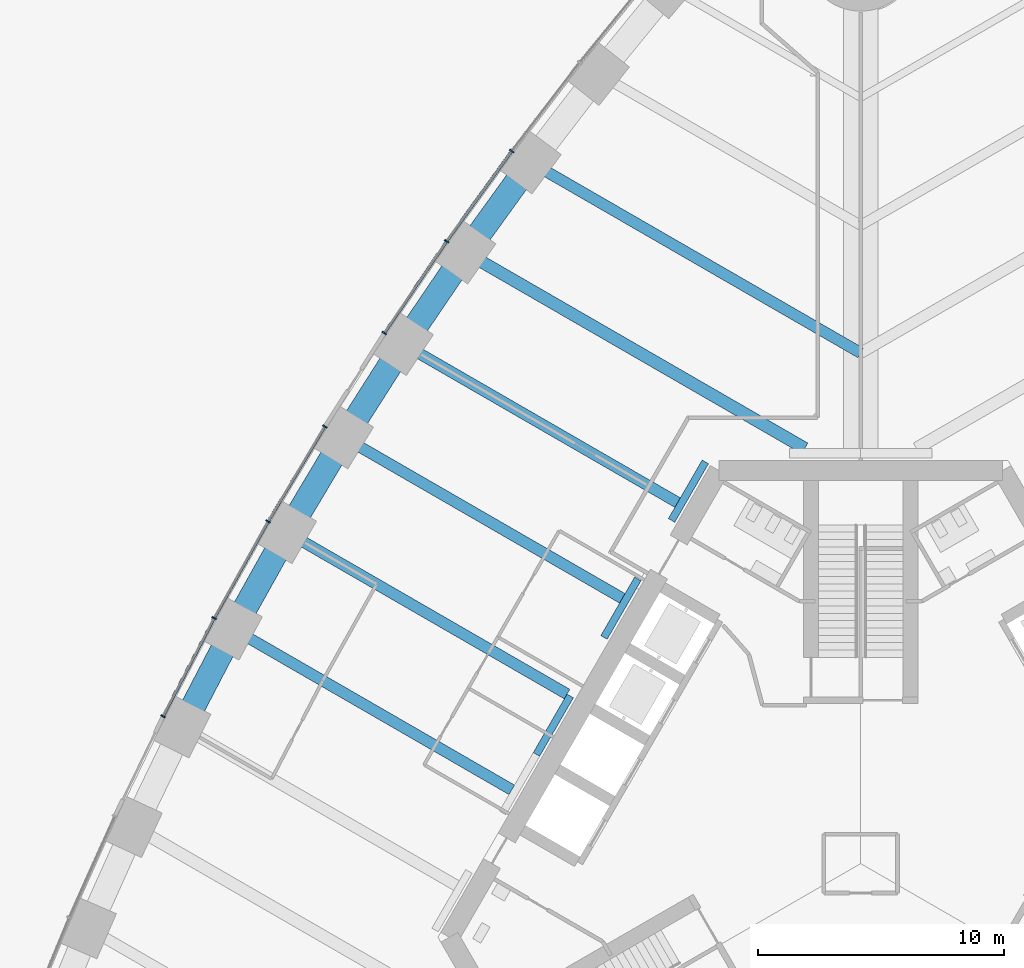
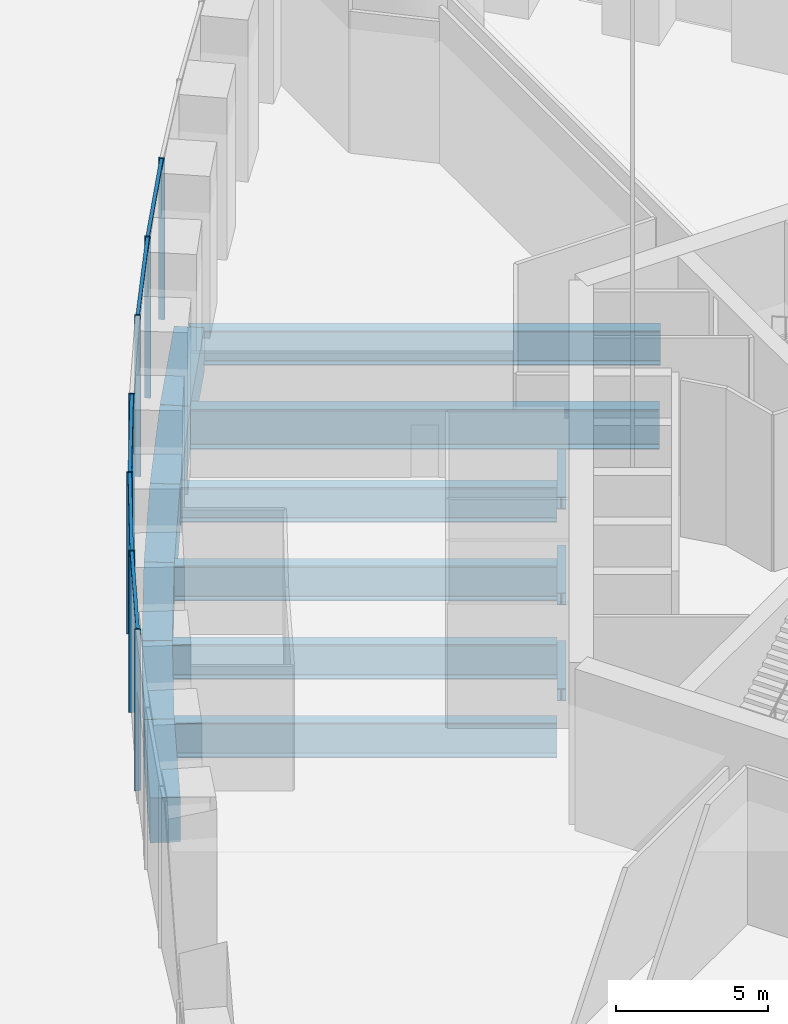
# One storey, part 7 of 43: 15 beams, 12 members, 2 elements without a shape of their own.
"""IFC4 building model written with IfcOpenShell, lengths in metres."""

from ifc_helpers import new_model, si_unit, direction, frame, origin, origin_2d, place, context, subcontext, project, spatial, rectangle, i_section, extrude, material, material_profile, profile_set, type_object, element, aggregate, save


model = new_model("IFC4")

# Units and contexts
model_context = context("Model", 3, precision=1e-05, world=origin(), true_north=direction((0.0, 1.0)))
body_context = subcontext(model_context, "Body", "Model", "MODEL_VIEW")
ifc_project = project(units=[si_unit("LENGTHUNIT", "METRE"), si_unit("AREAUNIT", "SQUARE_METRE"), si_unit("VOLUMEUNIT", "CUBIC_METRE"), si_unit("PLANEANGLEUNIT", "RADIAN"), si_unit("MASSUNIT", "GRAM", prefix="KILO")], contexts=[model_context])

# Site, building, storey
site_placement = place(None, origin())
site = spatial("IfcSite", under=ifc_project, at=site_placement, CompositionType="ELEMENT")
building_placement = place(site_placement, origin())
building = spatial("IfcBuilding", under=site, at=building_placement, Name="Trefoil Bronze Tower", CompositionType="ELEMENT")
storey_placement = place(building_placement, origin())
storey = spatial("IfcBuildingStorey", under=building, at=storey_placement, Name="L00", CompositionType="ELEMENT", Elevation=0.0)

# Curtain wall, members
ifc_material_1 = material(Name="Tinted solar-control glass", Category="glass")
curtain_wall_type = type_object("IfcCurtainWallType", Name="Bronze podium storefront curtain wall", PredefinedType="USERDEFINED", material=ifc_material_1)
curtain_wall_1_placement = place(storey_placement, origin())
curtain_wall_1 = element("IfcCurtainWall", 1, at=curtain_wall_1_placement, inside=storey, type_object=curtain_wall_type, Name="CW-C L00 F3 run 1", ObjectType="CURTAIN WALL", PredefinedType="USERDEFINED")
ifc_material_2 = material(Name="Bronze-finish aluminium", Category="aluminium")
ifc_material_profile_1 = material_profile(ifc_material_2, rectangle(XDim=0.199951171875, YDim=0.06005859375, at=origin_2d()), Name="CW-C mullion")
ifc_profile_set_1 = profile_set([ifc_material_profile_1], Name="Bronze-finish aluminium")
member_type_1 = type_object("IfcMemberType", Name="Bronze podium storefront curtain wall mullion", PredefinedType="MULLION", material=ifc_profile_set_1)
member_1_placement = place(storey_placement, frame((-14.20361328125, 28.99853515625, 0.0), z_axis=(0.0, 0.0, 1.0), x_axis=(0.802126748469, -0.59715381552, 0.0)))
member_1 = element("IfcMember", 2, at=member_1_placement, type_object=member_type_1, Name="CW-C L00 F3 run 1 mullion 5", PredefinedType="MULLION", context=body_context, shape_type="SweptSolid", body=[
    extrude(rectangle(XDim=0.199951171875, YDim=0.06005859375, at=origin_2d()), origin(), (0.0, 0.0, 1.0), 6.47998046875),
])
member_2_placement = place(storey_placement, frame((-16.853271484375, 25.32861328125, 0.0), z_axis=(0.0, 0.0, 1.0), x_axis=(0.819204207116, -0.573501932903, 0.0)))
member_2 = element("IfcMember", 3, at=member_2_placement, type_object=member_type_1, Name="CW-C L00 F3 run 1 mullion 6", PredefinedType="MULLION", context=body_context, shape_type="SweptSolid", body=[
    extrude(rectangle(XDim=0.199951171875, YDim=0.06005859375, at=origin_2d()), origin(), (0.0, 0.0, 1.0), 6.47998046875),
])
member_3_placement = place(storey_placement, frame((-19.387451171875, 21.593994140625, 0.0), z_axis=(0.0, 0.0, 1.0), x_axis=(0.827470167681, -0.56150968077, 0.0)))
member_3 = element("IfcMember", 4, at=member_3_placement, type_object=member_type_1, Name="CW-C L00 F3 run 1 mullion 7", PredefinedType="MULLION", context=body_context, shape_type="SweptSolid", body=[
    extrude(rectangle(XDim=0.199951171875, YDim=0.06005859375, at=origin_2d()), origin(), (0.0, 0.0, 1.0), 6.47998046875),
])

curtain_wall_2_placement = place(storey_placement, origin())
curtain_wall_2 = element("IfcCurtainWall", 5, at=curtain_wall_2_placement, inside=storey, type_object=curtain_wall_type, Name="CW-C L00 F3 run 3", ObjectType="CURTAIN WALL", PredefinedType="USERDEFINED")
member_4_placement = place(storey_placement, frame((-21.810302734375, 17.7900390625, 0.0), z_axis=(0.0, 0.0, 1.0), x_axis=(0.858679588639, -0.51251279404, 0.0)))
member_4 = element("IfcMember", 6, at=member_4_placement, type_object=member_type_1, Name="CW-C L00 F3 run 3 mullion 1", PredefinedType="MULLION", context=body_context, shape_type="SweptSolid", body=[
    extrude(rectangle(XDim=0.199951171875, YDim=0.06005859375, at=origin_2d()), origin(), (0.0, 0.0, 1.0), 6.47998046875),
])
member_5_placement = place(storey_placement, frame((-24.11767578125, 13.92431640625, 0.0), z_axis=(0.0, 0.0, 1.0), x_axis=(0.866025403784, -0.5, 0.0)))
member_5 = element("IfcMember", 7, at=member_5_placement, type_object=member_type_1, Name="CW-C L00 F3 run 3 mullion 2", PredefinedType="MULLION", context=body_context, shape_type="SweptSolid", body=[
    extrude(rectangle(XDim=0.199951171875, YDim=0.06005859375, at=origin_2d()), origin(), (0.0, 0.0, 1.0), 6.47998046875),
])
member_6_placement = place(storey_placement, frame((-26.3125, 9.991943359375, 0.0), z_axis=(0.0, 0.0, 1.0), x_axis=(0.880171454588, -0.474655886437, 0.0)))
member_6 = element("IfcMember", 8, at=member_6_placement, type_object=member_type_1, Name="CW-C L00 F3 run 3 mullion 3", PredefinedType="MULLION", context=body_context, shape_type="SweptSolid", body=[
    extrude(rectangle(XDim=0.199951171875, YDim=0.06005859375, at=origin_2d()), origin(), (0.0, 0.0, 1.0), 6.47998046875),
])
member_7_placement = place(storey_placement, frame((-28.3935546875, 5.99560546875, 0.0), z_axis=(0.0, 0.0, 1.0), x_axis=(0.886968555752, -0.46182981834, 0.0)))
member_7 = element("IfcMember", 9, at=member_7_placement, type_object=member_type_1, Name="CW-C L00 F3 run 3 mullion 4", PredefinedType="MULLION", context=body_context, shape_type="SweptSolid", body=[
    extrude(rectangle(XDim=0.199951171875, YDim=0.06005859375, at=origin_2d()), origin(), (0.0, 0.0, 1.0), 6.47998046875),
])

# Member
ifc_material_3 = material(Name="Bronze-finish aluminium", Category="aluminium")
ifc_material_profile_2 = material_profile(ifc_material_3, rectangle(XDim=0.1201171875, YDim=0.10009765625, at=origin_2d()), Name="CW-C transom")
ifc_profile_set_2 = profile_set([ifc_material_profile_2], Name="Bronze-finish aluminium")
member_type_2 = type_object("IfcMemberType", Name="Bronze podium storefront curtain wall transom", PredefinedType="USERDEFINED", material=ifc_profile_set_2)
member_8_placement = place(storey_placement, frame((-14.221923828125, 28.972900390625, 6.429931640625), z_axis=(-0.585390692876, -0.810751340853, 0.0), x_axis=(0.810751340853, -0.585390692876, 0.0)))
member_8 = element("IfcMember", 10, at=member_8_placement, type_object=member_type_2, Name="CW-C L00 F3 run 1 transom 5", ObjectType="TRANSOM", PredefinedType="USERDEFINED", context=body_context, shape_type="SweptSolid", body=[
    extrude(rectangle(XDim=0.1201171875, YDim=0.10009765625, at=origin_2d()), origin(), (0.0, 0.0, 1.0), 4.46337890625),
])

member_9_placement = place(storey_placement, frame((-16.870849609375, 25.302734375, 6.429931640625), z_axis=(-0.561502759392, -0.827474864388, 0.0), x_axis=(0.827474864388, -0.561502759392, 0.0)))
member_9 = element("IfcMember", 11, at=member_9_placement, type_object=member_type_2, Name="CW-C L00 F3 run 1 transom 6", ObjectType="TRANSOM", PredefinedType="USERDEFINED", context=body_context, shape_type="SweptSolid", body=[
    extrude(rectangle(XDim=0.1201171875, YDim=0.10009765625, at=origin_2d()), origin(), (0.0, 0.0, 1.0), 4.451904296875),
])

aggregate(curtain_wall_1, [member_1, member_2, member_3, member_8, member_9])

member_10_placement = place(storey_placement, frame((-21.82568359375, 17.764404296875, 6.429931640625), z_axis=(-0.512521589617, -0.858674338837, 0.0), x_axis=(0.858674338837, -0.512521589617, 0.0)))
member_10 = element("IfcMember", 12, at=member_10_placement, type_object=member_type_2, Name="CW-C L00 F3 run 3 transom 1", ObjectType="TRANSOM", PredefinedType="USERDEFINED", context=body_context, shape_type="SweptSolid", body=[
    extrude(rectangle(XDim=0.1201171875, YDim=0.10009765625, at=origin_2d()), origin(), (0.0, 0.0, 1.0), 4.440673828125),
])

member_11_placement = place(storey_placement, frame((-24.133056640625, 13.89697265625, 6.429931640625), z_axis=(-0.487350560486, -0.873206408127, 0.0), x_axis=(0.873206408127, -0.487350560486, 0.0)))
member_11 = element("IfcMember", 13, at=member_11_placement, type_object=member_type_2, Name="CW-C L00 F3 run 3 transom 2", ObjectType="TRANSOM", PredefinedType="USERDEFINED", context=body_context, shape_type="SweptSolid", body=[
    extrude(rectangle(XDim=0.1201171875, YDim=0.10009765625, at=origin_2d()), origin(), (0.0, 0.0, 1.0), 4.4404296875),
])

member_12_placement = place(storey_placement, frame((-26.3271484375, 9.964111328125, 6.429931640625), z_axis=(-0.461831786888, -0.886967530759, 0.0), x_axis=(0.886967530759, -0.461831786888, 0.0)))
member_12 = element("IfcMember", 14, at=member_12_placement, type_object=member_type_2, Name="CW-C L00 F3 run 3 transom 3", ObjectType="TRANSOM", PredefinedType="USERDEFINED", context=body_context, shape_type="SweptSolid", body=[
    extrude(rectangle(XDim=0.1201171875, YDim=0.10009765625, at=origin_2d()), origin(), (0.0, 0.0, 1.0), 4.4443359375),
])

aggregate(curtain_wall_2, [member_4, member_5, member_6, member_7, member_10, member_11, member_12])

# Beams
ifc_material_4 = material(Name="Steel C355", Category="steel")
ifc_material_profile_3 = material_profile(ifc_material_4, i_section(OverallWidth=0.300048828125, OverallDepth=0.5, WebThickness=0.014404296875, FlangeThickness=0.028076171875, FilletRadius=0.027099609375, at=origin_2d()), Name="HEB 500")
ifc_profile_set_3 = profile_set([ifc_material_profile_3], Name="Steel C355")
beam_type_1 = type_object("IfcBeamType", Name="Core seat beam HEB 500", PredefinedType="BEAM", material=ifc_profile_set_3)
beam_1_placement = place(storey_placement, frame((-6.322021484375, 16.35009765625, -0.550048828125), z_axis=(-0.499968400327, -0.866043647095, 0.0), x_axis=(0.866043647095, -0.499968400327, 0.0)))
element("IfcBeam", 15, at=beam_1_placement, inside=storey, type_object=beam_type_1, Name="Core seat beam F3/-2 L00", PredefinedType="BEAM", context=body_context, shape_type="SweptSolid", body=[
    extrude(i_section(OverallWidth=0.300048828125, OverallDepth=0.5, WebThickness=0.014404296875, FlangeThickness=0.028076171875, FilletRadius=0.027099609375, at=origin_2d()), origin(), (0.0, 0.0, 1.0), 2.749755859375),
])
for number, where, z_axis, x_axis, name in (
    (16, (-9.071533203125, 11.58740234375, -0.550048828125), (-0.500073439247, -0.865982999463, 0.0), (0.865982999463, -0.500073439247, 0.0), "Core seat beam F3/-1 L00"),
    (17, (-11.8212890625, 6.824951171875, -0.550048828125), (-0.500006847747, -0.8660214502, 0.0), (0.8660214502, -0.500006847747, 0.0), "Core seat beam F3/+0 L00"),
):
    element("IfcBeam", number, at=place(storey_placement, frame(where, z_axis=z_axis, x_axis=x_axis)), inside=storey, type_object=beam_type_1, Name=name, PredefinedType="BEAM", context=body_context, shape_type="SweptSolid", body=[
        extrude(i_section(OverallWidth=0.300048828125, OverallDepth=0.5, WebThickness=0.014404296875, FlangeThickness=0.028076171875, FilletRadius=0.027099609375, at=origin_2d()), origin(), (0.0, 0.0, 1.0), 2.74951171875),
    ])
ifc_material_5 = material(Name="Steel C355", Category="steel")
ifc_material_profile_4 = material_profile(ifc_material_5, i_section(OverallWidth=0.449951171875, OverallDepth=1.39990234375, WebThickness=0.02294921875, FlangeThickness=0.044921875, FilletRadius=0.011962890625, at=origin_2d()), Name="WPG 1400")
ifc_profile_set_4 = profile_set([ifc_material_profile_4], Name="Steel C355")
beam_type_2 = type_object("IfcBeamType", Name="Floor beam WPG 1400", PredefinedType="BEAM", material=ifc_profile_set_4)
beam_2_placement = place(storey_placement, frame((-13.42578125, 28.5361328125, -1.0), z_axis=(0.866022989816, -0.500004181093, 0.0), x_axis=(0.500004181093, 0.866022989816, 0.0)))
element("IfcBeam", 18, at=beam_2_placement, inside=storey, type_object=beam_type_2, Name="Floor beam F3/-4 L00", PredefinedType="BEAM", context=body_context, shape_type="SweptSolid", body=[
    extrude(i_section(OverallWidth=0.449951171875, OverallDepth=1.39990234375, WebThickness=0.02294921875, FlangeThickness=0.044921875, FilletRadius=0.011962890625, at=origin_2d()), origin(), (0.0, 0.0, 1.0), 15.502685546875),
])
beam_3_placement = place(storey_placement, frame((-18.61083984375, 21.13720703125, -1.0), z_axis=(0.866030989016, -0.499990325971, 0.0), x_axis=(0.499990325971, 0.866030989016, 0.0)))
element("IfcBeam", 19, at=beam_3_placement, inside=storey, type_object=beam_type_2, Name="Floor beam F3/-2 L00", PredefinedType="BEAM", context=body_context, shape_type="SweptSolid", body=[
    extrude(i_section(OverallWidth=0.449951171875, OverallDepth=1.39990234375, WebThickness=0.02294921875, FlangeThickness=0.044921875, FilletRadius=0.011962890625, at=origin_2d()), origin(), (0.0, 0.0, 1.0), 12.885986328125),
])
beam_4_placement = place(storey_placement, frame((-21.031494140625, 17.338623046875, -1.0), z_axis=(0.866027412898, -0.499996520097, 0.0), x_axis=(0.499996520097, 0.866027412898, 0.0)))
element("IfcBeam", 20, at=beam_4_placement, inside=storey, type_object=beam_type_2, Name="Floor beam F3/-1 L00", PredefinedType="BEAM", context=body_context, shape_type="SweptSolid", body=[
    extrude(i_section(OverallWidth=0.449951171875, OverallDepth=1.39990234375, WebThickness=0.02294921875, FlangeThickness=0.044921875, FilletRadius=0.011962890625, at=origin_2d()), origin(), (0.0, 0.0, 1.0), 13.0830078125),
])
beam_5_placement = place(storey_placement, frame((-23.33837890625, 13.474365234375, -1.0), z_axis=(0.866023564685, -0.5000031854, 0.0), x_axis=(0.5000031854, 0.866023564685, 0.0)))
element("IfcBeam", 21, at=beam_5_placement, inside=storey, type_object=beam_type_2, Name="Floor beam F3/+0 L00", PredefinedType="BEAM", context=body_context, shape_type="SweptSolid", body=[
    extrude(i_section(OverallWidth=0.449951171875, OverallDepth=1.39990234375, WebThickness=0.02294921875, FlangeThickness=0.044921875, FilletRadius=0.011962890625, at=origin_2d()), origin(), (0.0, 0.0, 1.0), 13.14892578125),
])
beam_6_placement = place(storey_placement, frame((-25.531494140625, 9.54443359375, -1.0), z_axis=(0.866027412898, -0.499996520097, 0.0), x_axis=(0.499996520097, 0.866027412898, 0.0)))
element("IfcBeam", 22, at=beam_6_placement, inside=storey, type_object=beam_type_2, Name="Floor beam F3/+1 L00", PredefinedType="BEAM", context=body_context, shape_type="SweptSolid", body=[
    extrude(i_section(OverallWidth=0.449951171875, OverallDepth=1.39990234375, WebThickness=0.02294921875, FlangeThickness=0.044921875, FilletRadius=0.011962890625, at=origin_2d()), origin(), (0.0, 0.0, 1.0), 13.0830078125),
])
ifc_material_6 = material(Name="Steel C355", Category="steel")
ifc_material_profile_5 = material_profile(ifc_material_6, i_section(OverallWidth=0.5, OverallDepth=1.60009765625, WebThickness=0.02587890625, FlangeThickness=0.050048828125, FilletRadius=0.011962890625, at=origin_2d()), Name="WPG 1600")
ifc_profile_set_5 = profile_set([ifc_material_profile_5], Name="Steel C355")
beam_type_3 = type_object("IfcBeamType", Name="Floor beam WPG 1600", PredefinedType="BEAM", material=ifc_profile_set_5)
beam_7_placement = place(storey_placement, frame((-16.075927734375, 24.869873046875, -1.10009765625), z_axis=(0.86602234579, -0.500005296564, 0.0), x_axis=(0.500005296564, 0.86602234579, 0.0)))
element("IfcBeam", 23, at=beam_7_placement, inside=storey, type_object=beam_type_3, Name="Floor beam F3/-3 L00", PredefinedType="BEAM", context=body_context, shape_type="SweptSolid", body=[
    extrude(i_section(OverallWidth=0.5, OverallDepth=1.60009765625, WebThickness=0.02587890625, FlangeThickness=0.050048828125, FilletRadius=0.011962890625, at=origin_2d()), origin(), (0.0, 0.0, 1.0), 15.939697265625),
])
ifc_material_7 = material(Name="Concrete B80", Category="concrete")
ifc_material_profile_6 = material_profile(ifc_material_7, rectangle(XDim=1.0, YDim=1.800048828125, at=origin_2d()), Name="RC 1000x1800")
ifc_profile_set_6 = profile_set([ifc_material_profile_6], Name="Concrete B80")
beam_type_4 = type_object("IfcBeamType", Name="Spandrel beam RC 1000x1800", PredefinedType="SPANDREL", material=ifc_profile_set_6)
beam_8_placement = place(storey_placement, frame((-13.42578125, 28.5361328125, -1.199951171875), z_axis=(-0.585823508301, -0.810438657223, 0.0), x_axis=(0.810438657223, -0.585823508301, 0.0)))
element("IfcBeam", 24, at=beam_8_placement, inside=storey, type_object=beam_type_4, Name="Spandrel F3.5 L00", PredefinedType="SPANDREL", context=body_context, shape_type="SweptSolid", body=[
    extrude(rectangle(XDim=1.0, YDim=1.800048828125, at=origin_2d()), origin(), (0.0, 0.0, 1.0), 4.523681640625),
])
beam_9_placement = place(storey_placement, frame((-16.075927734375, 24.869873046875, -1.199951171875), z_axis=(-0.561809680291, -0.827266512758, 0.0), x_axis=(0.827266512758, -0.561809680291, 0.0)))
element("IfcBeam", 25, at=beam_9_placement, inside=storey, type_object=beam_type_4, Name="Spandrel F3.6 L00", PredefinedType="SPANDREL", context=body_context, shape_type="SweptSolid", body=[
    extrude(rectangle(XDim=1.0, YDim=1.800048828125, at=origin_2d()), origin(), (0.0, 0.0, 1.0), 4.511962890625),
])
beam_10_placement = place(storey_placement, frame((-18.61083984375, 21.13720703125, -1.199951171875), z_axis=(-0.537408473305, -0.843322081307, 0.0), x_axis=(0.843322081307, -0.537408473305, 0.0)))
element("IfcBeam", 26, at=beam_10_placement, inside=storey, type_object=beam_type_4, Name="Spandrel F3.7 L00", PredefinedType="SPANDREL", context=body_context, shape_type="SweptSolid", body=[
    extrude(rectangle(XDim=1.0, YDim=1.800048828125, at=origin_2d()), origin(), (0.0, 0.0, 1.0), 4.50439453125),
])
for number, where, z_axis, x_axis, name in (
    (27, (-21.031494140625, 17.338623046875, -1.199951171875), (-0.512587831591, -0.858634797166, 0.0), (0.858634797166, -0.512587831591, 0.0), "Spandrel F3.8 L00"),
    (28, (-23.33837890625, 13.474365234375, -1.199951171875), (-0.487309404804, -0.873229376504, 0.0), (0.873229376504, -0.487309404804, 0.0), "Spandrel F3.9 L00"),
):
    element("IfcBeam", number, at=place(storey_placement, frame(where, z_axis=z_axis, x_axis=x_axis)), inside=storey, type_object=beam_type_4, Name=name, PredefinedType="SPANDREL", context=body_context, shape_type="SweptSolid", body=[
        extrude(rectangle(XDim=1.0, YDim=1.800048828125, at=origin_2d()), origin(), (0.0, 0.0, 1.0), 4.50048828125),
    ])
beam_11_placement = place(storey_placement, frame((-25.531494140625, 9.54443359375, -1.199951171875), z_axis=(-0.461637716615, -0.887068553495, 0.0), x_axis=(0.887068553495, -0.461637716615, 0.0)))
element("IfcBeam", 29, at=beam_11_placement, inside=storey, type_object=beam_type_4, Name="Spandrel F3.10 L00", PredefinedType="SPANDREL", context=body_context, shape_type="SweptSolid", body=[
    extrude(rectangle(XDim=1.0, YDim=1.800048828125, at=origin_2d()), origin(), (0.0, 0.0, 1.0), 4.50439453125),
])

save(model, "model.ifc")
